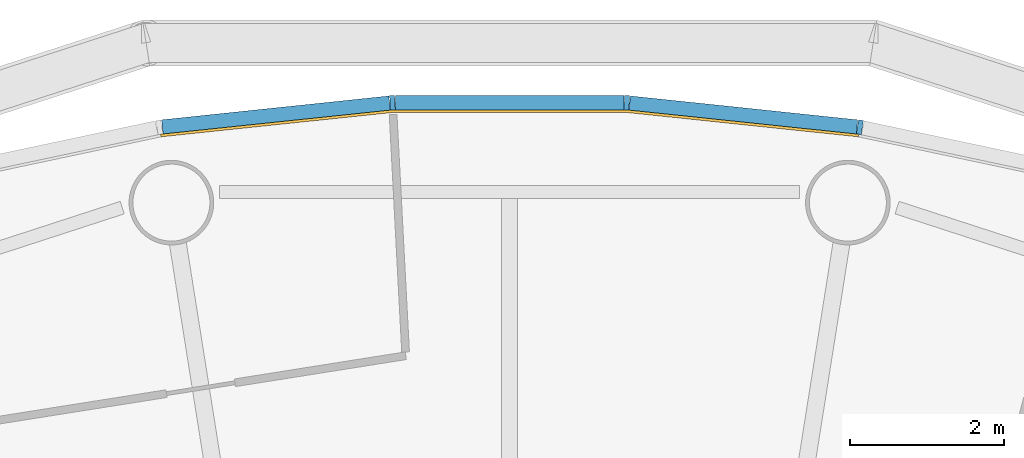
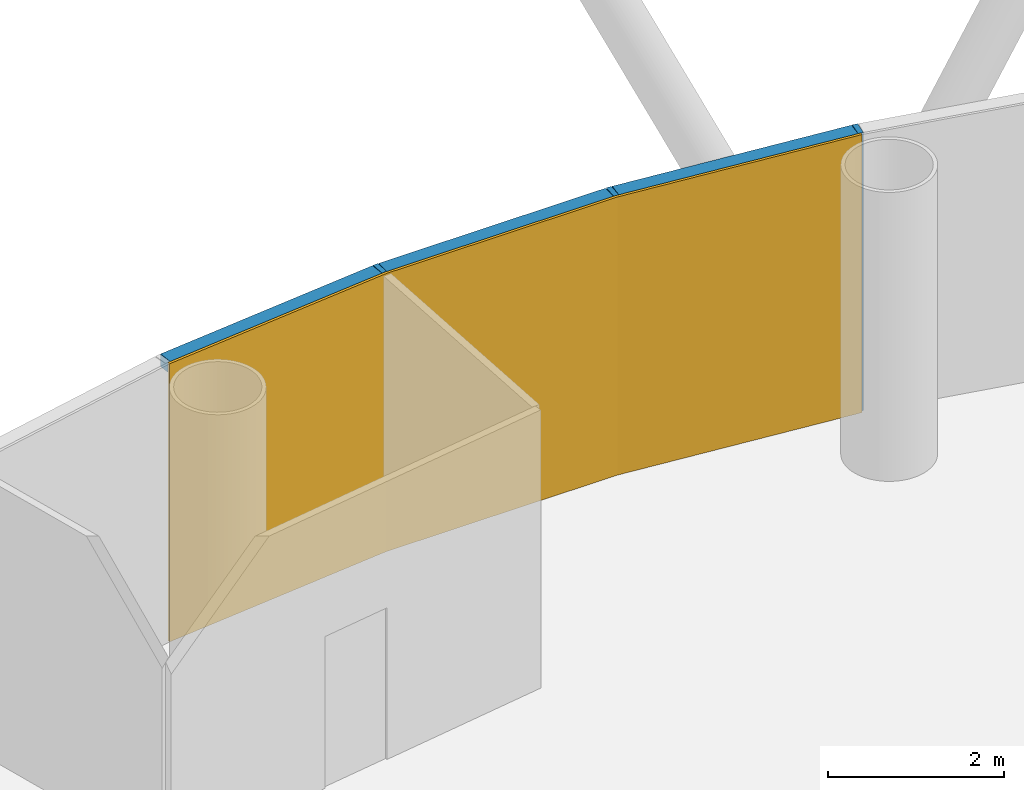
# One storey, part 10 of 12: 6 members, 1 curtain wall.
"""IFC4 building model written with IfcOpenShell, lengths in metres."""

from ifc_helpers import new_model, si_unit, direction, frame, origin, origin_2d, place, context, subcontext, project, spatial, polyline, rectangle, outline, extrude, material, layer, layer_set, material_profile, profile_set, type_object, element, aggregate, save


model = new_model("IFC4")

# Units and contexts
model_context = context("Model", 3, precision=1e-05, world=origin(), true_north=direction((0.0, 1.0)))
body_context = subcontext(model_context, "Body", "Model", "MODEL_VIEW")
ifc_project = project(units=[si_unit("LENGTHUNIT", "METRE"), si_unit("AREAUNIT", "SQUARE_METRE"), si_unit("VOLUMEUNIT", "CUBIC_METRE"), si_unit("PLANEANGLEUNIT", "RADIAN"), si_unit("MASSUNIT", "GRAM", prefix="KILO")], contexts=[model_context])

# Member
ifc_material_1 = material(Name="Anodised aluminium", Category="aluminium")
ifc_material_profile_1 = material_profile(ifc_material_1, rectangle(XDim=0.06494140625, YDim=0.18505859375, at=origin_2d()), Name="Mullion 65 x 185 mm anodised aluminium")
ifc_profile_set_1 = profile_set([ifc_material_profile_1], Name="Anodised aluminium")
member_type_1 = type_object("IfcMemberType", Name="Mullion 65 x 185 mm anodised aluminium", PredefinedType="MULLION", material=ifc_profile_set_1)
site_placement = place(None, origin())
building_placement = place(site_placement, origin())
storey_placement = place(building_placement, frame((0.0, 0.0, 144.0)))
member_1_placement = place(storey_placement, frame((94.551025390625, 108.734375, 0.0), z_axis=(0.0, 0.0, 1.0), x_axis=(-0.987688340595, 0.15643446504, 0.0)))
member_1 = element("IfcMember", 1, at=member_1_placement, type_object=member_type_1, Name="MULLION L32-12", PredefinedType="MULLION", context=body_context, shape_type="SweptSolid", body=[
    extrude(rectangle(XDim=0.06494140625, YDim=0.18505859375, at=origin_2d()), origin(), (0.0, 0.0, 1.0), 3.85009765625),
])

member_2_placement = place(storey_placement, frame((91.522705078125, 109.052734375, 0.0), z_axis=(0.0, 0.0, 1.0), x_axis=(-0.998629534755, 0.052335956243, 0.0)))
member_2 = element("IfcMember", 2, at=member_2_placement, type_object=member_type_1, Name="MULLION L32-13", PredefinedType="MULLION", context=body_context, shape_type="SweptSolid", body=[
    extrude(rectangle(XDim=0.06494140625, YDim=0.18505859375, at=origin_2d()), origin(), (0.0, 0.0, 1.0), 3.85009765625),
])

member_3_placement = place(storey_placement, frame((88.477294921875, 109.052734375, 0.0), z_axis=(0.0, 0.0, 1.0), x_axis=(-0.998629534755, -0.052335956243, 0.0)))
member_3 = element("IfcMember", 3, at=member_3_placement, type_object=member_type_1, Name="MULLION L32-14", PredefinedType="MULLION", context=body_context, shape_type="SweptSolid", body=[
    extrude(rectangle(XDim=0.06494140625, YDim=0.18505859375, at=origin_2d()), origin(), (0.0, 0.0, 1.0), 3.85009765625),
])

ifc_material_2 = material(Name="Anodised aluminium", Category="aluminium")
ifc_material_profile_2 = material_profile(ifc_material_2, rectangle(XDim=0.18505859375, YDim=0.175048828125, at=origin_2d()), Name="Transom 175 x 185 mm anodised aluminium")
ifc_profile_set_2 = profile_set([ifc_material_profile_2], Name="Anodised aluminium")
member_type_2 = type_object("IfcMemberType", Name="Transom 175 x 185 mm anodised aluminium", PredefinedType="USERDEFINED", material=ifc_profile_set_2)
member_4_placement = place(storey_placement, frame((94.513916015625, 108.73828125, 3.762451171875), z_axis=(-0.994519855197, 0.104547872381, 0.0), x_axis=(-0.104547872381, -0.994519855197, 0.0)))
member_4 = element("IfcMember", 4, at=member_4_placement, type_object=member_type_2, Name="TRANSOM L32-12", ObjectType="TRANSOM", PredefinedType="USERDEFINED", context=body_context, shape_type="SweptSolid", body=[
    extrude(rectangle(XDim=0.18505859375, YDim=0.175048828125, at=origin_2d()), origin(), (0.0, 0.0, 1.0), 2.970458984375),
])

member_5_placement = place(storey_placement, frame((91.4853515625, 109.052734375, 3.762451171875), z_axis=(-1.0, 0.0, 0.0), x_axis=(0.0, -1.0, 0.0)))
member_5 = element("IfcMember", 5, at=member_5_placement, type_object=member_type_2, Name="TRANSOM L32-13", ObjectType="TRANSOM", PredefinedType="USERDEFINED", context=body_context, shape_type="SweptSolid", body=[
    extrude(rectangle(XDim=0.18505859375, YDim=0.175048828125, at=origin_2d()), origin(), (0.0, 0.0, 1.0), 2.970703125),
])

member_6_placement = place(storey_placement, frame((88.440185546875, 109.048828125, 3.762451171875), z_axis=(-0.994519855197, -0.104547872381, 0.0), x_axis=(0.104547872381, -0.994519855197, 0.0)))
member_6 = element("IfcMember", 6, at=member_6_placement, type_object=member_type_2, Name="TRANSOM L32-14", ObjectType="TRANSOM", PredefinedType="USERDEFINED", context=body_context, shape_type="SweptSolid", body=[
    extrude(rectangle(XDim=0.18505859375, YDim=0.175048828125, at=origin_2d()), origin(), (0.0, 0.0, 1.0), 2.970458984375),
])

# Site, building, storey
site = spatial("IfcSite", under=ifc_project, at=site_placement, CompositionType="ELEMENT")
building = spatial("IfcBuilding", under=site, at=building_placement, Name="Entoto Ring Tower", CompositionType="ELEMENT")
storey = spatial("IfcBuildingStorey", under=building, at=storey_placement, Name="L32", CompositionType="ELEMENT", Elevation=144.0)

# Curtain wall
ifc_material_3 = material(Name="Clear low-iron glass", Category="glass")
ifc_layer = layer(ifc_material_3, 0.033935546875)
ifc_layer_set = layer_set([ifc_layer], Name="Clear low-iron glass")
curtain_wall_type = type_object("IfcCurtainWallType", Name="Curtain wall system CW3 glazing 34 mm", PredefinedType="NOTDEFINED", material=ifc_layer_set)
curtain_wall_placement = place(storey_placement, origin())
curtain_wall = element("IfcCurtainWall", 7, at=curtain_wall_placement, inside=storey, type_object=curtain_wall_type, Name="CW3 L32-05", PredefinedType="NOTDEFINED", context=body_context, shape_type="SweptSolid", body=[
    extrude(outline(polyline([(94.53662109375, 108.64306640625), (91.517822265625, 108.960205078125), (88.482177734375, 108.960205078125), (85.46337890625, 108.64306640625), (85.46875, 108.609375), (88.484130859375, 108.92626953125), (91.515869140625, 108.92626953125), (94.53125, 108.609375), (94.53662109375, 108.64306640625)])), origin(), (0.0, 0.0, 1.0), 3.85009765625),
])

aggregate(curtain_wall, [member_1, member_2, member_3, member_4, member_5, member_6])

save(model, "model.ifc")
